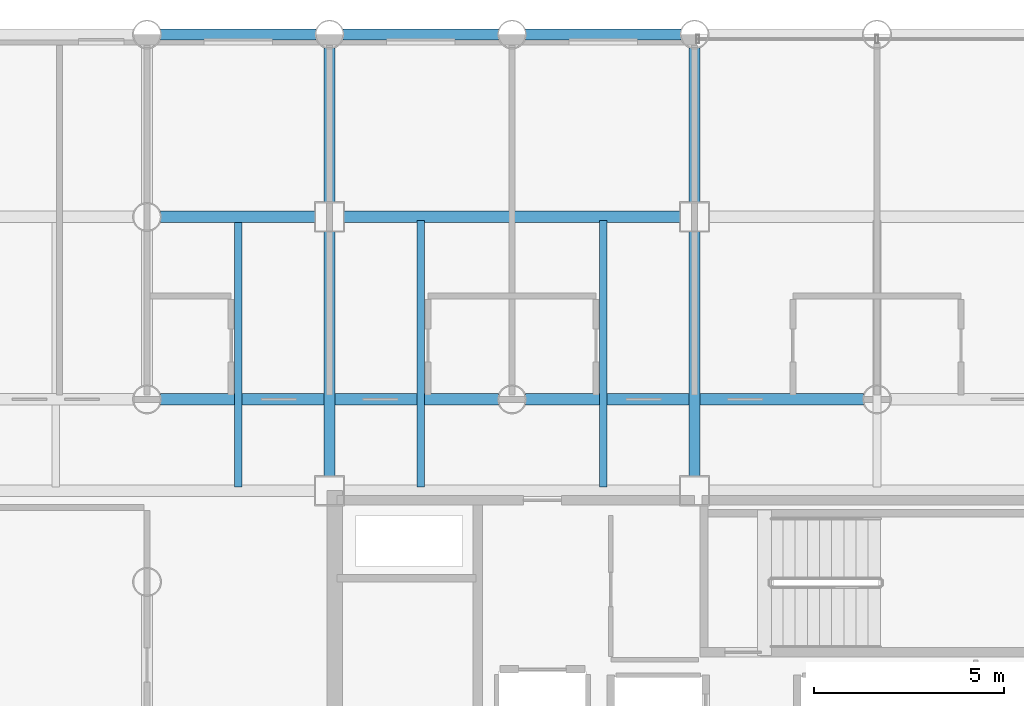
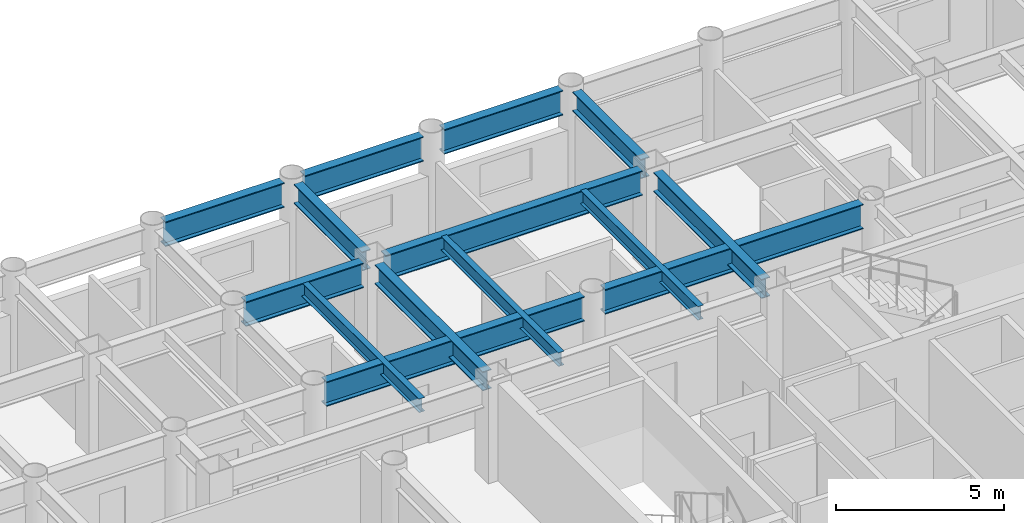
# One storey, part 10 of 22: 14 beams.
"""IFC4 building model written with IfcOpenShell, lengths in metres."""

from ifc_helpers import new_model, si_unit, direction, frame, origin, origin_2d, place, context, subcontext, project, spatial, i_section, extrude, material, material_profile, profile_set, type_object, element, save


model = new_model("IFC4")

# Units and contexts
model_context = context("Model", 3, precision=1e-05, world=origin(), true_north=direction((0.0, 1.0)))
body_context = subcontext(model_context, "Body", "Model", "MODEL_VIEW")
ifc_project = project(units=[si_unit("LENGTHUNIT", "METRE"), si_unit("AREAUNIT", "SQUARE_METRE"), si_unit("VOLUMEUNIT", "CUBIC_METRE"), si_unit("PLANEANGLEUNIT", "RADIAN"), si_unit("MASSUNIT", "GRAM", prefix="KILO")], contexts=[model_context])

# Site, building, storey
site_placement = place(None, origin())
site = spatial("IfcSite", under=ifc_project, at=site_placement, CompositionType="ELEMENT")
building_placement = place(site_placement, origin())
building = spatial("IfcBuilding", under=site, at=building_placement, Name="Kallvorn Hotel Tower", CompositionType="ELEMENT")
storey_placement = place(building_placement, frame((0.0, 0.0, 33.699951171875)))
storey = spatial("IfcBuildingStorey", under=building, at=storey_placement, Name="L06", CompositionType="ELEMENT", Elevation=33.699951171875)

# Beams
ifc_material_1 = material(Name="Structural steel S355JR", Category="steel")
ifc_material_profile_1 = material_profile(ifc_material_1, i_section(OverallWidth=0.300048828125, OverallDepth=0.699951171875, WebThickness=0.01708984375, FlangeThickness=0.031982421875, at=origin_2d()), Name="HE 700 B")
ifc_profile_set_1 = profile_set([ifc_material_profile_1], Name="Structural steel S355JR")
beam_type_1 = type_object("IfcBeamType", Name="BM_HE700B", PredefinedType="BEAM", material=ifc_profile_set_1)
beam_1_placement = place(storey_placement, frame((-14.39990234375, 7.574951171875, 3.170166015625), z_axis=(0.0, 1.0, 0.0), x_axis=(-1.0, 0.0, 0.0)))
element("IfcBeam", 1, at=beam_1_placement, inside=storey, type_object=beam_type_1, Name="L07 Primary Y-Girder 101", PredefinedType="BEAM", context=body_context, shape_type="SweptSolid", body=[
    extrude(i_section(OverallWidth=0.300048828125, OverallDepth=0.699951171875, WebThickness=0.01708984375, FlangeThickness=0.031982421875, at=origin_2d()), origin(), (0.0, 0.0, 1.0), 6.449951171875),
])
beam_2_placement = place(storey_placement, frame((-14.39990234375, 14.77490234375, 3.170166015625), z_axis=(0.0, 1.0, 0.0), x_axis=(-1.0, 0.0, 0.0)))
element("IfcBeam", 2, at=beam_2_placement, inside=storey, type_object=beam_type_1, Name="L07 Primary Y-Girder 102", PredefinedType="BEAM", context=body_context, shape_type="SweptSolid", body=[
    extrude(i_section(OverallWidth=0.300048828125, OverallDepth=0.699951171875, WebThickness=0.01708984375, FlangeThickness=0.031982421875, at=origin_2d()), origin(), (0.0, 0.0, 1.0), 4.069091796875),
])
beam_3_placement = place(storey_placement, frame((-4.800048828125, 7.574951171875, 3.170166015625), z_axis=(0.0, 1.0, 0.0), x_axis=(-1.0, 0.0, 0.0)))
element("IfcBeam", 3, at=beam_3_placement, inside=storey, type_object=beam_type_1, Name="L07 Primary Y-Girder 109", PredefinedType="BEAM", context=body_context, shape_type="SweptSolid", body=[
    extrude(i_section(OverallWidth=0.300048828125, OverallDepth=0.699951171875, WebThickness=0.01708984375, FlangeThickness=0.031982421875, at=origin_2d()), origin(), (0.0, 0.0, 1.0), 6.449951171875),
])
beam_4_placement = place(storey_placement, frame((-4.800048828125, 14.77490234375, 3.170166015625), z_axis=(0.0, 1.0, 0.0), x_axis=(-1.0, 0.0, 0.0)))
element("IfcBeam", 4, at=beam_4_placement, inside=storey, type_object=beam_type_1, Name="L07 Primary Y-Girder 110", PredefinedType="BEAM", context=body_context, shape_type="SweptSolid", body=[
    extrude(i_section(OverallWidth=0.300048828125, OverallDepth=0.699951171875, WebThickness=0.01708984375, FlangeThickness=0.031982421875, at=origin_2d()), origin(), (0.0, 0.0, 1.0), 4.069091796875),
])
ifc_material_2 = material(Name="Structural steel S355JR", Category="steel")
ifc_material_profile_2 = material_profile(ifc_material_2, i_section(OverallWidth=0.300048828125, OverallDepth=0.89990234375, WebThickness=0.0185546875, FlangeThickness=0.034912109375, at=origin_2d()), Name="HE 900 B")
ifc_profile_set_2 = profile_set([ifc_material_profile_2], Name="Structural steel S355JR")
beam_type_2 = type_object("IfcBeamType", Name="BM_HE900B", PredefinedType="BEAM", material=ifc_profile_set_2)
for number, where, z_axis, x_axis, name in (
    (5, (-18.843994140625, 9.60009765625, 3.070068359375), (1.0, 0.0, 0.0), (0.0, 1.0, 0.0), "L07 Primary X-Girder 45"),
    (6, (-9.243896484375, 9.60009765625, 3.070068359375), (1.0, 0.0, 0.0), (0.0, 1.0, 0.0), "L07 Primary X-Girder 46"),
):
    element("IfcBeam", number, at=place(storey_placement, frame(where, z_axis=z_axis, x_axis=x_axis)), inside=storey, type_object=beam_type_2, Name=name, PredefinedType="BEAM", context=body_context, shape_type="SweptSolid", body=[
        extrude(i_section(OverallWidth=0.300048828125, OverallDepth=0.89990234375, WebThickness=0.0185546875, FlangeThickness=0.034912109375, at=origin_2d()), origin(), (0.0, 0.0, 1.0), 8.887939453125),
    ])
beam_5_placement = place(storey_placement, frame((-18.843994140625, 14.39990234375, 3.070068359375), z_axis=(1.0, 0.0, 0.0), x_axis=(0.0, 1.0, 0.0)))
element("IfcBeam", 7, at=beam_5_placement, inside=storey, type_object=beam_type_2, Name="L07 Primary X-Girder 54", PredefinedType="BEAM", context=body_context, shape_type="SweptSolid", body=[
    extrude(i_section(OverallWidth=0.300048828125, OverallDepth=0.89990234375, WebThickness=0.0185546875, FlangeThickness=0.034912109375, at=origin_2d()), origin(), (0.0, 0.0, 1.0), 4.069091796875),
])
beam_6_placement = place(storey_placement, frame((-14.02490234375, 14.39990234375, 3.070068359375), z_axis=(1.0, 0.0, 0.0), x_axis=(0.0, 1.0, 0.0)))
element("IfcBeam", 8, at=beam_6_placement, inside=storey, type_object=beam_type_2, Name="L07 Primary X-Girder 55", PredefinedType="BEAM", context=body_context, shape_type="SweptSolid", body=[
    extrude(i_section(OverallWidth=0.300048828125, OverallDepth=0.89990234375, WebThickness=0.0185546875, FlangeThickness=0.034912109375, at=origin_2d()), origin(), (0.0, 0.0, 1.0), 8.849853515625),
])
for number, where, z_axis, x_axis, name in (
    (9, (-18.843994140625, 19.199951171875, 3.070068359375), (1.0, 0.0, 0.0), (0.0, 1.0, 0.0), "L07 Primary X-Girder 63"),
    (10, (-14.0439453125, 19.199951171875, 3.070068359375), (1.0, 0.0, 0.0), (0.0, 1.0, 0.0), "L07 Primary X-Girder 64"),
    (11, (-9.243896484375, 19.199951171875, 3.070068359375), (1.0, 0.0, 0.0), (0.0, 1.0, 0.0), "L07 Primary X-Girder 65"),
):
    element("IfcBeam", number, at=place(storey_placement, frame(where, z_axis=z_axis, x_axis=x_axis)), inside=storey, type_object=beam_type_2, Name=name, PredefinedType="BEAM", context=body_context, shape_type="SweptSolid", body=[
        extrude(i_section(OverallWidth=0.300048828125, OverallDepth=0.89990234375, WebThickness=0.0185546875, FlangeThickness=0.034912109375, at=origin_2d()), origin(), (0.0, 0.0, 1.0), 4.087890625),
    ])
ifc_material_3 = material(Name="Structural steel S355JR", Category="steel")
ifc_material_profile_3 = material_profile(ifc_material_3, i_section(OverallWidth=0.199951171875, OverallDepth=0.5, WebThickness=0.01025390625, FlangeThickness=0.01611328125, at=origin_2d()), Name="IPE 500")
ifc_profile_set_3 = profile_set([ifc_material_profile_3], Name="Structural steel S355JR")
beam_type_3 = type_object("IfcBeamType", Name="BM_IPE500", PredefinedType="JOIST", material=ifc_profile_set_3)
for number, where, z_axis, x_axis, name in (
    (12, (-16.800048828125, 7.300048828125, 3.27001953125), (0.0, 1.0, 0.0), (-1.0, 0.0, 0.0), "L07 Secondary Composite Joist 195"),
    (13, (-12.0, 7.300048828125, 3.27001953125), (0.0, 1.0, 0.0), (-1.0, 0.0, 0.0), "L07 Secondary Composite Joist 197"),
    (14, (-7.199951171875, 7.300048828125, 3.27001953125), (0.0, 1.0, 0.0), (-1.0, 0.0, 0.0), "L07 Secondary Composite Joist 199"),
):
    element("IfcBeam", number, at=place(storey_placement, frame(where, z_axis=z_axis, x_axis=x_axis)), inside=storey, type_object=beam_type_3, Name=name, PredefinedType="JOIST", context=body_context, shape_type="SweptSolid", body=[
        extrude(i_section(OverallWidth=0.199951171875, OverallDepth=0.5, WebThickness=0.01025390625, FlangeThickness=0.01611328125, at=origin_2d()), origin(), (0.0, 0.0, 1.0), 7.0),
    ])

save(model, "model.ifc")
